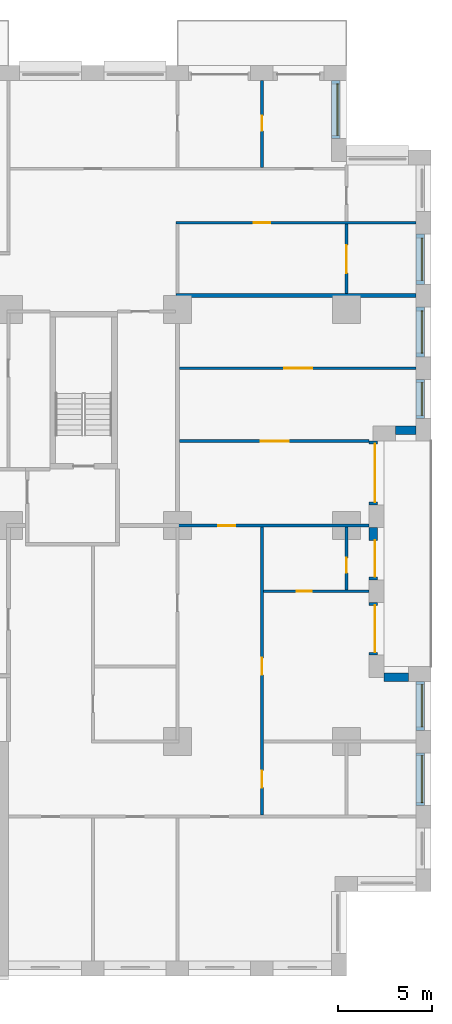
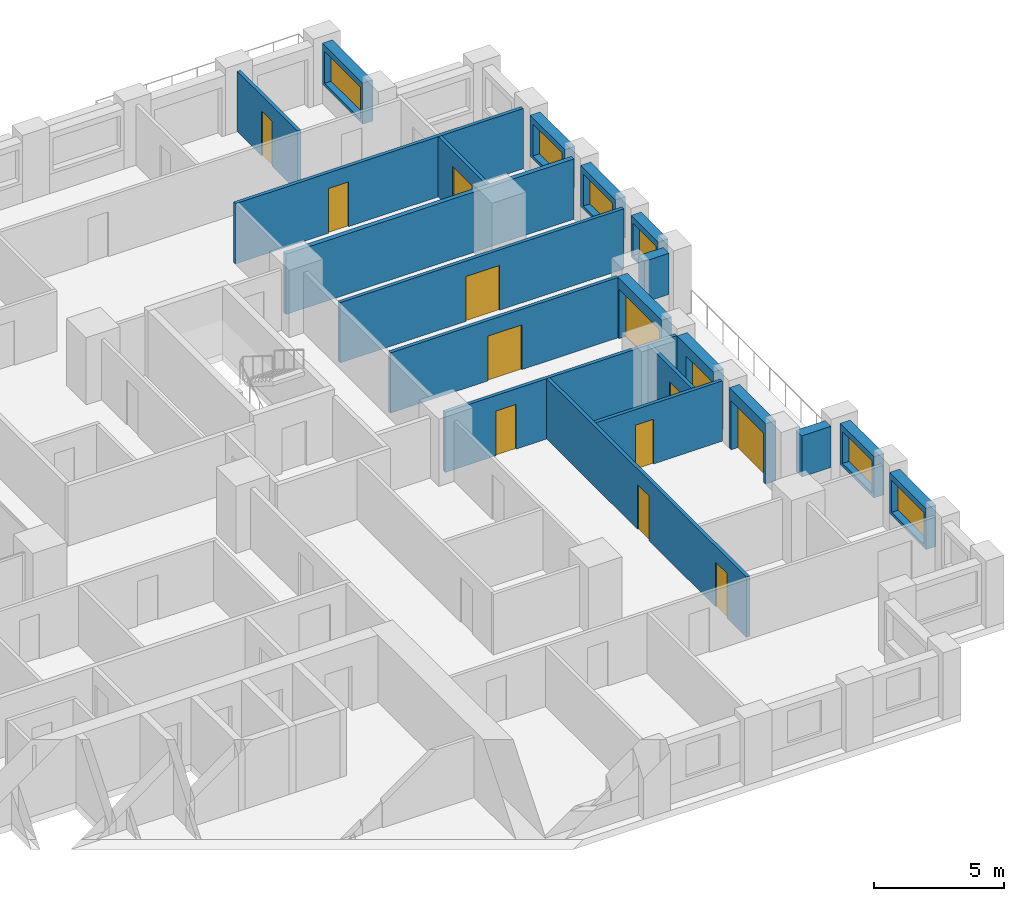
# One storey, part 17 of 20: 21 walls, 13 doors, 6 windows, 19 openings.
"""IFC4 building model written with IfcOpenShell, lengths in metres."""

from ifc_helpers import new_model, si_unit, direction, frame, frame_2d, origin, place, context, subcontext, project, spatial, rectangle, extrude, material, layer, layer_set, type_object, element, fill, save


model = new_model("IFC4")

# Units and contexts
model_context = context("Model", 3, precision=1e-05, world=origin(), true_north=direction((0.0, 1.0)))
body_context = subcontext(model_context, "Body", "Model", "MODEL_VIEW")
ifc_project = project(units=[si_unit("LENGTHUNIT", "METRE"), si_unit("AREAUNIT", "SQUARE_METRE"), si_unit("VOLUMEUNIT", "CUBIC_METRE"), si_unit("PLANEANGLEUNIT", "RADIAN"), si_unit("MASSUNIT", "GRAM", prefix="KILO")], contexts=[model_context])

# Site, building, storey
site_placement = place(None, origin())
site = spatial("IfcSite", under=ifc_project, at=site_placement, CompositionType="ELEMENT")
building_placement = place(site_placement, origin())
building = spatial("IfcBuilding", under=site, at=building_placement, Name="Brigalow Station Residences", CompositionType="ELEMENT")
storey_placement = place(building_placement, frame((0.0, 0.0, 44.699951171875)))
storey = spatial("IfcBuildingStorey", under=building, at=storey_placement, Name="L12", CompositionType="ELEMENT", Elevation=44.699951171875)

# Wall, opening, window
ifc_material_1 = material(Name="Clay brick masonry", Category="masonry")
ifc_layer_1 = layer(ifc_material_1, 0.449951171875)
ifc_layer_set_1 = layer_set([ifc_layer_1], Name="BRICK INFILL WALL 450")
wall_type_1 = type_object("IfcWallType", Name="BRICK INFILL WALL 450", PredefinedType="SOLIDWALL", material=ifc_layer_set_1)
wall_1_placement = place(storey_placement, frame((75.925048828125, 9.10009765625, 0.900146484375), z_axis=(0.0, 0.0, 1.0), x_axis=(0.0, 1.0, 0.0)))
wall_1 = element("IfcWall", 1, at=wall_1_placement, inside=storey, type_object=wall_type_1, Name="L12/ewall/W-L12-12", PredefinedType="SOLIDWALL", context=body_context, shape_type="SweptSolid", body=[
    extrude(rectangle(XDim=2.7998046875, YDim=0.449951171875, at=frame_2d((1.39990234375, 0.0))), origin(), (0.0, 0.0, 1.0), 1.929931640625),
])
opening_1_placement = place(wall_1_placement, frame((0.14990234375, 0.0, 0.14990234375)))
opening_1 = element("IfcOpeningElement", 2, at=opening_1_placement, cuts=wall_1, Name="Opening WT-5", PredefinedType="OPENING", context=body_context, shape_type="SweptSolid", body=[
    extrude(rectangle(XDim=2.5, YDim=1.5, at=frame_2d((1.25, 0.75))), frame((0.0, 0.23486328125, 0.0), z_axis=(0.0, -1.0, 0.0), x_axis=(1.0, 0.0, 0.0)), (0.0, 0.0, 1.0), 0.469970703125),
])
ifc_material_2 = material(Name="Anodised aluminium frame with double glazing", Category="aluminium")
window_type_1 = type_object("IfcWindowType", Name="WINDOW 2500x1500", PartitioningType="SINGLE_PANEL", PredefinedType="WINDOW", material=ifc_material_2)
window_1_placement = place(opening_1_placement, origin())
window_1 = element("IfcWindow", 3, at=window_1_placement, inside=storey, type_object=window_type_1, Name="L12/window/W-L12-12", OverallHeight=1.5, OverallWidth=2.5, PartitioningType="SINGLE_PANEL", PredefinedType="WINDOW", context=body_context, shape_type="SweptSolid", body=[
    extrude(rectangle(XDim=2.5, YDim=1.5, at=frame_2d((1.25, 0.75))), frame((0.0, -0.06494140625, 0.0), z_axis=(0.0, -1.0, 0.0), x_axis=(1.0, 0.0, 0.0)), (0.0, 0.0, 1.0), 0.06005859375),
])
fill(opening_1, window_1)

wall_2_placement = place(storey_placement, frame((75.925048828125, 13.10009765625, 0.900146484375), z_axis=(0.0, 0.0, 1.0), x_axis=(0.0, 1.0, 0.0)))
wall_2 = element("IfcWall", 4, at=wall_2_placement, inside=storey, type_object=wall_type_1, Name="L12/ewall/W-L12-13", PredefinedType="SOLIDWALL", context=body_context, shape_type="SweptSolid", body=[
    extrude(rectangle(XDim=2.599853515625, YDim=0.449951171875, at=frame_2d((1.2998046875, 0.0))), origin(), (0.0, 0.0, 1.0), 1.929931640625),
])
opening_2_placement = place(wall_2_placement, frame((0.175048828125, 0.0, 0.14990234375)))
opening_2 = element("IfcOpeningElement", 5, at=opening_2_placement, cuts=wall_2, Name="Opening WT-6", PredefinedType="OPENING", context=body_context, shape_type="SweptSolid", body=[
    extrude(rectangle(XDim=2.25, YDim=1.5, at=frame_2d((1.125, 0.75))), frame((0.0, 0.23486328125, 0.0), z_axis=(0.0, -1.0, 0.0), x_axis=(1.0, 0.0, 0.0)), (0.0, 0.0, 1.0), 0.469970703125),
])
ifc_material_3 = material(Name="Anodised aluminium frame with double glazing", Category="aluminium")
window_type_2 = type_object("IfcWindowType", Name="WINDOW 2250x1500", PartitioningType="SINGLE_PANEL", PredefinedType="WINDOW", material=ifc_material_3)
window_2_placement = place(opening_2_placement, origin())
window_2 = element("IfcWindow", 6, at=window_2_placement, inside=storey, type_object=window_type_2, Name="L12/window/W-L12-13", OverallHeight=1.5, OverallWidth=2.25, PartitioningType="SINGLE_PANEL", PredefinedType="WINDOW", context=body_context, shape_type="SweptSolid", body=[
    extrude(rectangle(XDim=2.25, YDim=1.5, at=frame_2d((1.125, 0.75))), frame((0.0, -0.06494140625, 0.0), z_axis=(0.0, -1.0, 0.0), x_axis=(1.0, 0.0, 0.0)), (0.0, 0.0, 1.0), 0.06005859375),
])
fill(opening_2, window_2)

# Wall
wall_3_placement = place(storey_placement, frame((75.300048828125, 15.925048828125, 0.900146484375), z_axis=(0.0, 0.0, 1.0), x_axis=(-1.0, 0.0, 0.0)))
element("IfcWall", 7, at=wall_3_placement, inside=storey, type_object=wall_type_1, Name="L12/ewall/W-L12-14", PredefinedType="SOLIDWALL", context=body_context, shape_type="SweptSolid", body=[
    extrude(rectangle(XDim=1.300048828125, YDim=0.449951171875, at=frame_2d((0.64990234375, 0.0))), origin(), (0.0, 0.0, 1.0), 1.929931640625),
])

# Wall, opening, door
wall_4_placement = place(storey_placement, frame((73.425048828125, 17.10009765625, 0.0), z_axis=(0.0, 0.0, 1.0), x_axis=(0.0, 1.0, 0.0)))
wall_4 = element("IfcWall", 8, at=wall_4_placement, inside=storey, type_object=wall_type_1, Name="L12/ewall/W-L12-15", PredefinedType="SOLIDWALL", context=body_context, shape_type="SweptSolid", body=[
    extrude(rectangle(XDim=2.7998046875, YDim=0.449951171875, at=frame_2d((1.39990234375, 0.0))), origin(), (0.0, 0.0, 1.0), 2.830078125),
])
opening_3_placement = place(wall_4_placement, frame((0.14990234375, 0.0, 0.0)))
opening_3 = element("IfcOpeningElement", 9, at=opening_3_placement, cuts=wall_4, Name="Opening D-B2500", PredefinedType="OPENING", context=body_context, shape_type="SweptSolid", body=[
    extrude(rectangle(XDim=2.5, YDim=2.300048828125, at=frame_2d((1.25, 1.14990234375))), frame((0.0, 0.23486328125, 0.0), z_axis=(0.0, -1.0, 0.0), x_axis=(1.0, 0.0, 0.0)), (0.0, 0.0, 1.0), 0.469970703125),
])
ifc_material_4 = material(Name="Anodised aluminium frame with double glazing", Category="aluminium")
door_type_1 = type_object("IfcDoorType", Name="BALCONY SLIDING DOOR 2500x2300", OperationType="SLIDING_TO_LEFT", PredefinedType="DOOR", material=ifc_material_4)
door_1_placement = place(opening_3_placement, origin())
door_1 = element("IfcDoor", 10, at=door_1_placement, inside=storey, type_object=door_type_1, Name="L12/balcony-door/W-L12-15", OperationType="SLIDING_TO_LEFT", OverallHeight=2.300048828125, OverallWidth=2.5, PredefinedType="DOOR", context=body_context, shape_type="SweptSolid", body=[
    extrude(rectangle(XDim=2.5, YDim=2.300048828125, at=frame_2d((1.25, 1.14990234375))), frame((0.0, -0.06982421875, 0.0), z_axis=(0.0, -1.0, 0.0), x_axis=(1.0, 0.0, 0.0)), (0.0, 0.0, 1.0), 0.050048828125),
])
fill(opening_3, door_1)

wall_5_placement = place(storey_placement, frame((73.425048828125, 21.10009765625, 0.0), z_axis=(0.0, 0.0, 1.0), x_axis=(0.0, 1.0, 0.0)))
wall_5 = element("IfcWall", 11, at=wall_5_placement, inside=storey, type_object=wall_type_1, Name="L12/ewall/W-L12-16", PredefinedType="SOLIDWALL", context=body_context, shape_type="SweptSolid", body=[
    extrude(rectangle(XDim=2.7998046875, YDim=0.449951171875, at=frame_2d((1.39990234375, 0.0))), origin(), (0.0, 0.0, 1.0), 2.830078125),
])
opening_4_placement = place(wall_5_placement, frame((0.1650390625, 0.0, 0.0)))
opening_4 = element("IfcOpeningElement", 12, at=opening_4_placement, cuts=wall_5, Name="Opening D-B1950", PredefinedType="OPENING", context=body_context, shape_type="SweptSolid", body=[
    extrude(rectangle(XDim=1.949951171875, YDim=2.300048828125, at=frame_2d((0.97509765625, 1.14990234375))), frame((0.0, 0.23486328125, 0.0), z_axis=(0.0, -1.0, 0.0), x_axis=(1.0, 0.0, 0.0)), (0.0, 0.0, 1.0), 0.469970703125),
])
ifc_material_5 = material(Name="Anodised aluminium frame with double glazing", Category="aluminium")
door_type_2 = type_object("IfcDoorType", Name="BALCONY SLIDING DOOR 1950x2300", OperationType="SLIDING_TO_LEFT", PredefinedType="DOOR", material=ifc_material_5)
door_2_placement = place(opening_4_placement, origin())
door_2 = element("IfcDoor", 13, at=door_2_placement, inside=storey, type_object=door_type_2, Name="L12/balcony-door/W-L12-16", OperationType="SLIDING_TO_LEFT", OverallHeight=2.300048828125, OverallWidth=1.949951171875, PredefinedType="DOOR", context=body_context, shape_type="SweptSolid", body=[
    extrude(rectangle(XDim=1.949951171875, YDim=2.300048828125, at=frame_2d((0.97509765625, 1.14990234375))), frame((0.0, -0.06982421875, 0.0), z_axis=(0.0, -1.0, 0.0), x_axis=(1.0, 0.0, 0.0)), (0.0, 0.0, 1.0), 0.050048828125),
])
fill(opening_4, door_2)

wall_6_placement = place(storey_placement, frame((73.425048828125, 25.10009765625, 0.0), z_axis=(0.0, 0.0, 1.0), x_axis=(0.0, 1.0, 0.0)))
wall_6 = element("IfcWall", 14, at=wall_6_placement, inside=storey, type_object=wall_type_1, Name="L12/ewall/W-L12-17", PredefinedType="SOLIDWALL", context=body_context, shape_type="SweptSolid", body=[
    extrude(rectangle(XDim=3.39990234375, YDim=0.449951171875, at=frame_2d((1.699951171875, 0.0))), origin(), (0.0, 0.0, 1.0), 2.830078125),
])
opening_5_placement = place(wall_6_placement, frame((0.14990234375, 0.0, 0.0)))
opening_5 = element("IfcOpeningElement", 15, at=opening_5_placement, cuts=wall_6, Name="Opening D-B3100", PredefinedType="OPENING", context=body_context, shape_type="SweptSolid", body=[
    extrude(rectangle(XDim=3.10009765625, YDim=2.300048828125, at=frame_2d((1.550048828125, 1.14990234375))), frame((0.0, 0.23486328125, 0.0), z_axis=(0.0, -1.0, 0.0), x_axis=(1.0, 0.0, 0.0)), (0.0, 0.0, 1.0), 0.469970703125),
])
ifc_material_6 = material(Name="Anodised aluminium frame with double glazing", Category="aluminium")
door_type_3 = type_object("IfcDoorType", Name="BALCONY SLIDING DOOR 3100x2300", OperationType="SLIDING_TO_LEFT", PredefinedType="DOOR", material=ifc_material_6)
door_3_placement = place(opening_5_placement, origin())
door_3 = element("IfcDoor", 16, at=door_3_placement, inside=storey, type_object=door_type_3, Name="L12/balcony-door/W-L12-17", OperationType="SLIDING_TO_LEFT", OverallHeight=2.300048828125, OverallWidth=3.10009765625, PredefinedType="DOOR", context=body_context, shape_type="SweptSolid", body=[
    extrude(rectangle(XDim=3.10009765625, YDim=2.300048828125, at=frame_2d((1.550048828125, 1.14990234375))), frame((0.0, -0.06982421875, 0.0), z_axis=(0.0, -1.0, 0.0), x_axis=(1.0, 0.0, 0.0)), (0.0, 0.0, 1.0), 0.050048828125),
])
fill(opening_5, door_3)

# Wall
wall_7_placement = place(storey_placement, frame((74.60009765625, 29.074951171875, 0.900146484375), z_axis=(0.0, 0.0, 1.0), x_axis=(1.0, 0.0, 0.0)))
element("IfcWall", 17, at=wall_7_placement, inside=storey, type_object=wall_type_1, Name="L12/ewall/W-L12-18", PredefinedType="SOLIDWALL", context=body_context, shape_type="SweptSolid", body=[
    extrude(rectangle(XDim=1.099853515625, YDim=0.449951171875, at=frame_2d((0.5498046875, 0.0))), origin(), (0.0, 0.0, 1.0), 1.929931640625),
])

# Wall, opening, window
wall_8_placement = place(storey_placement, frame((75.925048828125, 29.699951171875, 0.900146484375), z_axis=(0.0, 0.0, 1.0), x_axis=(0.0, 1.0, 0.0)))
wall_8 = element("IfcWall", 18, at=wall_8_placement, inside=storey, type_object=wall_type_1, Name="L12/ewall/W-L12-19", PredefinedType="SOLIDWALL", context=body_context, shape_type="SweptSolid", body=[
    extrude(rectangle(XDim=2.074951171875, YDim=0.449951171875, at=frame_2d((1.03759765625, 0.0))), origin(), (0.0, 0.0, 1.0), 1.929931640625),
])
opening_6_placement = place(wall_8_placement, frame((0.16259765625, 0.0, 0.14990234375)))
opening_6 = element("IfcOpeningElement", 19, at=opening_6_placement, cuts=wall_8, Name="Opening WT-4", PredefinedType="OPENING", context=body_context, shape_type="SweptSolid", body=[
    extrude(rectangle(XDim=1.75, YDim=1.5, at=frame_2d((0.875, 0.75))), frame((0.0, 0.23486328125, 0.0), z_axis=(0.0, -1.0, 0.0), x_axis=(1.0, 0.0, 0.0)), (0.0, 0.0, 1.0), 0.469970703125),
])
ifc_material_7 = material(Name="Anodised aluminium frame with double glazing", Category="aluminium")
window_type_3 = type_object("IfcWindowType", Name="WINDOW 1750x1500", PartitioningType="SINGLE_PANEL", PredefinedType="WINDOW", material=ifc_material_7)
window_3_placement = place(opening_6_placement, origin())
window_3 = element("IfcWindow", 20, at=window_3_placement, inside=storey, type_object=window_type_3, Name="L12/window/W-L12-19", OverallHeight=1.5, OverallWidth=1.75, PartitioningType="SINGLE_PANEL", PredefinedType="WINDOW", context=body_context, shape_type="SweptSolid", body=[
    extrude(rectangle(XDim=1.75, YDim=1.5, at=frame_2d((0.875, 0.75))), frame((0.0, -0.06494140625, 0.0), z_axis=(0.0, -1.0, 0.0), x_axis=(1.0, 0.0, 0.0)), (0.0, 0.0, 1.0), 0.06005859375),
])
fill(opening_6, window_3)

wall_9_placement = place(storey_placement, frame((75.925048828125, 32.97509765625, 0.900146484375), z_axis=(0.0, 0.0, 1.0), x_axis=(0.0, 1.0, 0.0)))
wall_9 = element("IfcWall", 21, at=wall_9_placement, inside=storey, type_object=wall_type_1, Name="L12/ewall/W-L12-20", PredefinedType="SOLIDWALL", context=body_context, shape_type="SweptSolid", body=[
    extrude(rectangle(XDim=2.6748046875, YDim=0.449951171875, at=frame_2d((1.33740234375, 0.0))), origin(), (0.0, 0.0, 1.0), 1.929931640625),
])
opening_7_placement = place(wall_9_placement, frame((0.21240234375, 0.0, 0.14990234375)))
opening_7 = element("IfcOpeningElement", 22, at=opening_7_placement, cuts=wall_9, Name="Opening WT-6", PredefinedType="OPENING", context=body_context, shape_type="SweptSolid", body=[
    extrude(rectangle(XDim=2.25, YDim=1.5, at=frame_2d((1.125, 0.75))), frame((0.0, 0.23486328125, 0.0), z_axis=(0.0, -1.0, 0.0), x_axis=(1.0, 0.0, 0.0)), (0.0, 0.0, 1.0), 0.469970703125),
])
window_4_placement = place(opening_7_placement, origin())
window_4 = element("IfcWindow", 23, at=window_4_placement, inside=storey, type_object=window_type_2, Name="L12/window/W-L12-20", OverallHeight=1.5, OverallWidth=2.25, PartitioningType="SINGLE_PANEL", PredefinedType="WINDOW", context=body_context, shape_type="SweptSolid", body=[
    extrude(rectangle(XDim=2.25, YDim=1.5, at=frame_2d((1.125, 0.75))), frame((0.0, -0.06494140625, 0.0), z_axis=(0.0, -1.0, 0.0), x_axis=(1.0, 0.0, 0.0)), (0.0, 0.0, 1.0), 0.06005859375),
])
fill(opening_7, window_4)

wall_10_placement = place(storey_placement, frame((75.925048828125, 36.85009765625, 0.900146484375), z_axis=(0.0, 0.0, 1.0), x_axis=(0.0, 1.0, 0.0)))
wall_10 = element("IfcWall", 24, at=wall_10_placement, inside=storey, type_object=wall_type_1, Name="L12/ewall/W-L12-21", PredefinedType="SOLIDWALL", context=body_context, shape_type="SweptSolid", body=[
    extrude(rectangle(XDim=2.6748046875, YDim=0.449951171875, at=frame_2d((1.33740234375, 0.0))), origin(), (0.0, 0.0, 1.0), 1.929931640625),
])
opening_8_placement = place(wall_10_placement, frame((0.21240234375, 0.0, 0.14990234375)))
opening_8 = element("IfcOpeningElement", 25, at=opening_8_placement, cuts=wall_10, Name="Opening WT-6", PredefinedType="OPENING", context=body_context, shape_type="SweptSolid", body=[
    extrude(rectangle(XDim=2.25, YDim=1.5, at=frame_2d((1.125, 0.75))), frame((0.0, 0.23486328125, 0.0), z_axis=(0.0, -1.0, 0.0), x_axis=(1.0, 0.0, 0.0)), (0.0, 0.0, 1.0), 0.469970703125),
])
window_5_placement = place(opening_8_placement, origin())
window_5 = element("IfcWindow", 26, at=window_5_placement, inside=storey, type_object=window_type_2, Name="L12/window/W-L12-21", OverallHeight=1.5, OverallWidth=2.25, PartitioningType="SINGLE_PANEL", PredefinedType="WINDOW", context=body_context, shape_type="SweptSolid", body=[
    extrude(rectangle(XDim=2.25, YDim=1.5, at=frame_2d((1.125, 0.75))), frame((0.0, -0.06494140625, 0.0), z_axis=(0.0, -1.0, 0.0), x_axis=(1.0, 0.0, 0.0)), (0.0, 0.0, 1.0), 0.06005859375),
])
fill(opening_8, window_5)

wall_11_placement = place(storey_placement, frame((71.425048828125, 44.60009765625, 0.900146484375), z_axis=(0.0, 0.0, 1.0), x_axis=(0.0, 1.0, 0.0)))
wall_11 = element("IfcWall", 27, at=wall_11_placement, inside=storey, type_object=wall_type_1, Name="L12/ewall/W-L12-24", PredefinedType="SOLIDWALL", context=body_context, shape_type="SweptSolid", body=[
    extrude(rectangle(XDim=3.099853515625, YDim=0.449951171875, at=frame_2d((1.5498046875, 0.0))), origin(), (0.0, 0.0, 1.0), 1.929931640625),
])
opening_9_placement = place(wall_11_placement, frame((0.175048828125, 0.0, 0.14990234375)))
opening_9 = element("IfcOpeningElement", 28, at=opening_9_placement, cuts=wall_11, Name="Opening WT-3", PredefinedType="OPENING", context=body_context, shape_type="SweptSolid", body=[
    extrude(rectangle(XDim=2.75, YDim=1.5, at=frame_2d((1.375, 0.75))), frame((0.0, 0.23486328125, 0.0), z_axis=(0.0, -1.0, 0.0), x_axis=(1.0, 0.0, 0.0)), (0.0, 0.0, 1.0), 0.469970703125),
])
ifc_material_8 = material(Name="Anodised aluminium frame with double glazing", Category="aluminium")
window_type_4 = type_object("IfcWindowType", Name="WINDOW 2750x1500", PartitioningType="SINGLE_PANEL", PredefinedType="WINDOW", material=ifc_material_8)
window_6_placement = place(opening_9_placement, origin())
window_6 = element("IfcWindow", 29, at=window_6_placement, inside=storey, type_object=window_type_4, Name="L12/window/W-L12-24", OverallHeight=1.5, OverallWidth=2.75, PartitioningType="SINGLE_PANEL", PredefinedType="WINDOW", context=body_context, shape_type="SweptSolid", body=[
    extrude(rectangle(XDim=2.75, YDim=1.5, at=frame_2d((1.375, 0.75))), frame((0.0, -0.06494140625, 0.0), z_axis=(0.0, -1.0, 0.0), x_axis=(1.0, 0.0, 0.0)), (0.0, 0.0, 1.0), 0.06005859375),
])
fill(opening_9, window_6)

# Wall, opening, door
ifc_material_9 = material(Name="Plasterboard on steel stud partition", Category="steel")
ifc_layer_2 = layer(ifc_material_9, 0.14990234375)
ifc_layer_set_2 = layer_set([ifc_layer_2], Name="FLAT PARTITION 150")
wall_type_2 = type_object("IfcWallType", Name="FLAT PARTITION 150", PredefinedType="PARTITIONING", material=ifc_layer_set_2)
wall_12_placement = place(storey_placement, frame((62.925048828125, 24.0, 0.0), z_axis=(0.0, 0.0, 1.0), x_axis=(1.0, 0.0, 0.0)))
wall_12 = element("IfcWall", 30, at=wall_12_placement, inside=storey, type_object=wall_type_2, Name="PW-1C03", PredefinedType="PARTITIONING", context=body_context, shape_type="SweptSolid", body=[
    extrude(rectangle(XDim=10.27490234375, YDim=0.14990234375, at=frame_2d((5.137451171875, 0.0))), origin(), (0.0, 0.0, 1.0), 2.830078125),
])
opening_10_placement = place(wall_12_placement, frame((2.25, 0.0, 0.0)))
opening_10 = element("IfcOpeningElement", 31, at=opening_10_placement, cuts=wall_12, Name="Opening D-1C53", PredefinedType="OPENING", context=body_context, shape_type="SweptSolid", body=[
    extrude(rectangle(XDim=0.89990234375, YDim=2.10009765625, at=frame_2d((0.449951171875, 1.050048828125))), frame((0.0, 0.0849609375, 0.0), z_axis=(0.0, -1.0, 0.0), x_axis=(1.0, 0.0, 0.0)), (0.0, 0.0, 1.0), 0.169921875),
])
ifc_material_10 = material(Name="Solid-core timber door leaf", Category="wood")
door_type_4 = type_object("IfcDoorType", Name="INTERNAL DOOR 900 x 2100", OperationType="SINGLE_SWING_LEFT", PredefinedType="DOOR", material=ifc_material_10)
door_4_placement = place(opening_10_placement, origin())
door_4 = element("IfcDoor", 32, at=door_4_placement, inside=storey, type_object=door_type_4, Name="D-1C53", OperationType="SINGLE_SWING_LEFT", OverallHeight=2.10009765625, OverallWidth=0.89990234375, PredefinedType="DOOR", context=body_context, shape_type="SweptSolid", body=[
    extrude(rectangle(XDim=0.89990234375, YDim=2.10009765625, at=frame_2d((0.449951171875, 1.050048828125))), frame((0.0, 0.02490234375, 0.0), z_axis=(0.0, -1.0, 0.0), x_axis=(1.0, 0.0, 0.0)), (0.0, 0.0, 1.0), 0.050048828125),
])
fill(opening_10, door_4)

wall_13_placement = place(storey_placement, frame((67.574951171875, 20.5, 0.0), z_axis=(0.0, 0.0, 1.0), x_axis=(1.0, 0.0, 0.0)))
wall_13 = element("IfcWall", 33, at=wall_13_placement, inside=storey, type_object=wall_type_2, Name="PW-1C18", PredefinedType="PARTITIONING", context=body_context, shape_type="SweptSolid", body=[
    extrude(rectangle(XDim=5.625, YDim=0.14990234375, at=frame_2d((2.8125, 0.0))), origin(), (0.0, 0.0, 1.0), 2.830078125),
])
opening_11_placement = place(wall_13_placement, frame((1.77490234375, 0.0, 0.0)))
opening_11 = element("IfcOpeningElement", 34, at=opening_11_placement, cuts=wall_13, Name="Opening D-1C54", PredefinedType="OPENING", context=body_context, shape_type="SweptSolid", body=[
    extrude(rectangle(XDim=0.800048828125, YDim=2.10009765625, at=frame_2d((0.39990234375, 1.050048828125))), frame((0.0, 0.0849609375, 0.0), z_axis=(0.0, -1.0, 0.0), x_axis=(1.0, 0.0, 0.0)), (0.0, 0.0, 1.0), 0.169921875),
])
ifc_material_11 = material(Name="Solid-core timber door leaf", Category="wood")
door_type_5 = type_object("IfcDoorType", Name="INTERNAL DOOR 800 x 2100", OperationType="SINGLE_SWING_LEFT", PredefinedType="DOOR", material=ifc_material_11)
door_5_placement = place(opening_11_placement, origin())
door_5 = element("IfcDoor", 35, at=door_5_placement, inside=storey, type_object=door_type_5, Name="D-1C54", OperationType="SINGLE_SWING_LEFT", OverallHeight=2.10009765625, OverallWidth=0.800048828125, PredefinedType="DOOR", context=body_context, shape_type="SweptSolid", body=[
    extrude(rectangle(XDim=0.800048828125, YDim=2.10009765625, at=frame_2d((0.39990234375, 1.050048828125))), frame((0.0, 0.02490234375, 0.0), z_axis=(0.0, -1.0, 0.0), x_axis=(1.0, 0.0, 0.0)), (0.0, 0.0, 1.0), 0.050048828125),
])
fill(opening_11, door_5)

wall_14_placement = place(storey_placement, frame((63.10009765625, 32.375, 0.0), z_axis=(0.0, 0.0, 1.0), x_axis=(1.0, 0.0, 0.0)))
wall_14 = element("IfcWall", 36, at=wall_14_placement, inside=storey, type_object=wall_type_2, Name="PW-1C20", PredefinedType="PARTITIONING", context=body_context, shape_type="SweptSolid", body=[
    extrude(rectangle(XDim=12.599853515625, YDim=0.14990234375, at=frame_2d((6.2998046875, 0.0))), origin(), (0.0, 0.0, 1.0), 2.830078125),
])
opening_12_placement = place(wall_14_placement, frame((5.574951171875, 0.0, 0.0)))
opening_12 = element("IfcOpeningElement", 37, at=opening_12_placement, cuts=wall_14, Name="Opening D-1C56", PredefinedType="OPENING", context=body_context, shape_type="SweptSolid", body=[
    extrude(rectangle(XDim=1.5, YDim=2.10009765625, at=frame_2d((0.75, 1.050048828125))), frame((0.0, 0.0849609375, 0.0), z_axis=(0.0, -1.0, 0.0), x_axis=(1.0, 0.0, 0.0)), (0.0, 0.0, 1.0), 0.169921875),
])
ifc_material_12 = material(Name="Solid-core timber door leaf", Category="wood")
door_type_6 = type_object("IfcDoorType", Name="INTERNAL DOUBLE DOOR 1500 x 2100", OperationType="DOUBLE_DOOR_SINGLE_SWING", PredefinedType="DOOR", material=ifc_material_12)
door_6_placement = place(opening_12_placement, frame((1.5, 0.0, 0.0), z_axis=(0.0, 0.0, 1.0), x_axis=(-1.0, 0.0, 0.0)))
door_6 = element("IfcDoor", 38, at=door_6_placement, inside=storey, type_object=door_type_6, Name="D-1C56", OperationType="DOUBLE_DOOR_SINGLE_SWING", OverallHeight=2.10009765625, OverallWidth=1.5, PredefinedType="DOOR", context=body_context, shape_type="SweptSolid", body=[
    extrude(rectangle(XDim=1.5, YDim=2.10009765625, at=frame_2d((0.75, 1.050048828125))), frame((0.0, 0.02490234375, 0.0), z_axis=(0.0, -1.0, 0.0), x_axis=(1.0, 0.0, 0.0)), (0.0, 0.0, 1.0), 0.050048828125),
])
fill(opening_12, door_6)

wall_15_placement = place(storey_placement, frame((63.10009765625, 28.5, 0.0), z_axis=(0.0, 0.0, 1.0), x_axis=(1.0, 0.0, 0.0)))
wall_15 = element("IfcWall", 39, at=wall_15_placement, inside=storey, type_object=wall_type_2, Name="PW-1C24", PredefinedType="PARTITIONING", context=body_context, shape_type="SweptSolid", body=[
    extrude(rectangle(XDim=10.099853515625, YDim=0.14990234375, at=frame_2d((5.0498046875, 0.0))), origin(), (0.0, 0.0, 1.0), 2.830078125),
])
opening_13_placement = place(wall_15_placement, frame((4.324951171875, 0.0, 0.0)))
opening_13 = element("IfcOpeningElement", 40, at=opening_13_placement, cuts=wall_15, Name="Opening D-1C52", PredefinedType="OPENING", context=body_context, shape_type="SweptSolid", body=[
    extrude(rectangle(XDim=1.5, YDim=2.10009765625, at=frame_2d((0.75, 1.050048828125))), frame((0.0, 0.0849609375, 0.0), z_axis=(0.0, -1.0, 0.0), x_axis=(1.0, 0.0, 0.0)), (0.0, 0.0, 1.0), 0.169921875),
])
door_7_placement = place(opening_13_placement, frame((1.5, 0.0, 0.0), z_axis=(0.0, 0.0, 1.0), x_axis=(-1.0, 0.0, 0.0)))
door_7 = element("IfcDoor", 41, at=door_7_placement, inside=storey, type_object=door_type_6, Name="D-1C52", OperationType="DOUBLE_DOOR_SINGLE_SWING", OverallHeight=2.10009765625, OverallWidth=1.5, PredefinedType="DOOR", context=body_context, shape_type="SweptSolid", body=[
    extrude(rectangle(XDim=1.5, YDim=2.10009765625, at=frame_2d((0.75, 1.050048828125))), frame((0.0, 0.02490234375, 0.0), z_axis=(0.0, -1.0, 0.0), x_axis=(1.0, 0.0, 0.0)), (0.0, 0.0, 1.0), 0.050048828125),
])
fill(opening_13, door_7)

wall_16_placement = place(storey_placement, frame((62.925048828125, 40.125, 0.0), z_axis=(0.0, 0.0, 1.0), x_axis=(1.0, 0.0, 0.0)))
wall_16 = element("IfcWall", 42, at=wall_16_placement, inside=storey, type_object=wall_type_2, Name="PW-1C33", PredefinedType="PARTITIONING", context=body_context, shape_type="SweptSolid", body=[
    extrude(rectangle(XDim=12.77490234375, YDim=0.14990234375, at=frame_2d((6.387451171875, 0.0))), origin(), (0.0, 0.0, 1.0), 2.830078125),
])
opening_14_placement = place(wall_16_placement, frame((4.125, 0.0, 0.0)))
opening_14 = element("IfcOpeningElement", 43, at=opening_14_placement, cuts=wall_16, Name="Opening D-1C41", PredefinedType="OPENING", context=body_context, shape_type="SweptSolid", body=[
    extrude(rectangle(XDim=0.89990234375, YDim=2.10009765625, at=frame_2d((0.449951171875, 1.050048828125))), frame((0.0, 0.0849609375, 0.0), z_axis=(0.0, -1.0, 0.0), x_axis=(1.0, 0.0, 0.0)), (0.0, 0.0, 1.0), 0.169921875),
])
door_8_placement = place(opening_14_placement, frame((0.89990234375, 0.0, 0.0), z_axis=(0.0, 0.0, 1.0), x_axis=(-1.0, 0.0, 0.0)))
door_8 = element("IfcDoor", 44, at=door_8_placement, inside=storey, type_object=door_type_4, Name="D-1C41", OperationType="SINGLE_SWING_RIGHT", OverallHeight=2.10009765625, OverallWidth=0.89990234375, PredefinedType="DOOR", context=body_context, shape_type="SweptSolid", body=[
    extrude(rectangle(XDim=0.89990234375, YDim=2.10009765625, at=frame_2d((0.449951171875, 1.050048828125))), frame((0.0, 0.02490234375, 0.0), z_axis=(0.0, -1.0, 0.0), x_axis=(1.0, 0.0, 0.0)), (0.0, 0.0, 1.0), 0.050048828125),
])
fill(opening_14, door_8)

wall_17_placement = place(storey_placement, frame((72.0, 20.574951171875, 0.0), z_axis=(0.0, 0.0, 1.0), x_axis=(0.0, 1.0, 0.0)))
wall_17 = element("IfcWall", 45, at=wall_17_placement, inside=storey, type_object=wall_type_2, Name="PW-1C75", PredefinedType="PARTITIONING", context=body_context, shape_type="SweptSolid", body=[
    extrude(rectangle(XDim=3.35009765625, YDim=0.14990234375, at=frame_2d((1.675048828125, 0.0))), origin(), (0.0, 0.0, 1.0), 2.830078125),
])
opening_15_placement = place(wall_17_placement, frame((0.89990234375, 0.0, 0.0)))
opening_15 = element("IfcOpeningElement", 46, at=opening_15_placement, cuts=wall_17, Name="Opening D-1C55", PredefinedType="OPENING", context=body_context, shape_type="SweptSolid", body=[
    extrude(rectangle(XDim=0.800048828125, YDim=2.10009765625, at=frame_2d((0.39990234375, 1.050048828125))), frame((0.0, 0.0849609375, 0.0), z_axis=(0.0, -1.0, 0.0), x_axis=(1.0, 0.0, 0.0)), (0.0, 0.0, 1.0), 0.169921875),
])
door_9_placement = place(opening_15_placement, frame((0.800048828125, 0.0, 0.0), z_axis=(0.0, 0.0, 1.0), x_axis=(-1.0, 0.0, 0.0)))
door_9 = element("IfcDoor", 47, at=door_9_placement, inside=storey, type_object=door_type_5, Name="D-1C55", OperationType="SINGLE_SWING_RIGHT", OverallHeight=2.10009765625, OverallWidth=0.800048828125, PredefinedType="DOOR", context=body_context, shape_type="SweptSolid", body=[
    extrude(rectangle(XDim=0.800048828125, YDim=2.10009765625, at=frame_2d((0.39990234375, 1.050048828125))), frame((0.0, 0.02490234375, 0.0), z_axis=(0.0, -1.0, 0.0), x_axis=(1.0, 0.0, 0.0)), (0.0, 0.0, 1.0), 0.050048828125),
])
fill(opening_15, door_9)

wall_18_placement = place(storey_placement, frame((72.0, 36.35009765625, 0.0), z_axis=(0.0, 0.0, 1.0), x_axis=(0.0, 1.0, 0.0)))
wall_18 = element("IfcWall", 48, at=wall_18_placement, inside=storey, type_object=wall_type_2, Name="PW-1C76", PredefinedType="PARTITIONING", context=body_context, shape_type="SweptSolid", body=[
    extrude(rectangle(XDim=3.699951171875, YDim=0.14990234375, at=frame_2d((1.85009765625, 0.0))), origin(), (0.0, 0.0, 1.0), 2.830078125),
])
opening_16_placement = place(wall_18_placement, frame((1.087890625, 0.0, 0.0)))
opening_16 = element("IfcOpeningElement", 49, at=opening_16_placement, cuts=wall_18, Name="Opening D-1C48", PredefinedType="OPENING", context=body_context, shape_type="SweptSolid", body=[
    extrude(rectangle(XDim=1.5, YDim=2.10009765625, at=frame_2d((0.75, 1.050048828125))), frame((0.0, 0.0849609375, 0.0), z_axis=(0.0, -1.0, 0.0), x_axis=(1.0, 0.0, 0.0)), (0.0, 0.0, 1.0), 0.169921875),
])
door_10_placement = place(opening_16_placement, origin())
door_10 = element("IfcDoor", 50, at=door_10_placement, inside=storey, type_object=door_type_6, Name="D-1C48", OperationType="DOUBLE_DOOR_SINGLE_SWING", OverallHeight=2.10009765625, OverallWidth=1.5, PredefinedType="DOOR", context=body_context, shape_type="SweptSolid", body=[
    extrude(rectangle(XDim=1.5, YDim=2.10009765625, at=frame_2d((0.75, 1.050048828125))), frame((0.0, 0.02490234375, 0.0), z_axis=(0.0, -1.0, 0.0), x_axis=(1.0, 0.0, 0.0)), (0.0, 0.0, 1.0), 0.050048828125),
])
fill(opening_16, door_10)

# Wall, openings, doors
wall_19_placement = place(storey_placement, frame((67.5, 8.574951171875, 0.0), z_axis=(0.0, 0.0, 1.0), x_axis=(0.0, 1.0, 0.0)))
wall_19 = element("IfcWall", 51, at=wall_19_placement, inside=storey, type_object=wall_type_2, Name="PW-1C79", PredefinedType="PARTITIONING", context=body_context, shape_type="SweptSolid", body=[
    extrude(rectangle(XDim=15.35009765625, YDim=0.14990234375, at=frame_2d((7.675048828125, 0.0))), origin(), (0.0, 0.0, 1.0), 2.830078125),
])
opening_17_placement = place(wall_19_placement, frame((7.47509765625, 0.0, 0.0)))
opening_17 = element("IfcOpeningElement", 52, at=opening_17_placement, cuts=wall_19, Name="Opening D-1C59", PredefinedType="OPENING", context=body_context, shape_type="SweptSolid", body=[
    extrude(rectangle(XDim=0.89990234375, YDim=2.10009765625, at=frame_2d((0.449951171875, 1.050048828125))), frame((0.0, 0.0849609375, 0.0), z_axis=(0.0, -1.0, 0.0), x_axis=(1.0, 0.0, 0.0)), (0.0, 0.0, 1.0), 0.169921875),
])
opening_18_placement = place(wall_19_placement, frame((1.47509765625, 0.0, 0.0)))
opening_18 = element("IfcOpeningElement", 53, at=opening_18_placement, cuts=wall_19, Name="Opening D-1C60", PredefinedType="OPENING", context=body_context, shape_type="SweptSolid", body=[
    extrude(rectangle(XDim=0.89990234375, YDim=2.10009765625, at=frame_2d((0.449951171875, 1.050048828125))), frame((0.0, 0.0849609375, 0.0), z_axis=(0.0, -1.0, 0.0), x_axis=(1.0, 0.0, 0.0)), (0.0, 0.0, 1.0), 0.169921875),
])
door_11_placement = place(opening_17_placement, frame((0.89990234375, 0.0, 0.0), z_axis=(0.0, 0.0, 1.0), x_axis=(-1.0, 0.0, 0.0)))
door_11 = element("IfcDoor", 54, at=door_11_placement, inside=storey, type_object=door_type_4, Name="D-1C59", OperationType="SINGLE_SWING_RIGHT", OverallHeight=2.10009765625, OverallWidth=0.89990234375, PredefinedType="DOOR", context=body_context, shape_type="SweptSolid", body=[
    extrude(rectangle(XDim=0.89990234375, YDim=2.10009765625, at=frame_2d((0.449951171875, 1.050048828125))), frame((0.0, 0.02490234375, 0.0), z_axis=(0.0, -1.0, 0.0), x_axis=(1.0, 0.0, 0.0)), (0.0, 0.0, 1.0), 0.050048828125),
])
fill(opening_17, door_11)
door_12_placement = place(opening_18_placement, frame((0.89990234375, 0.0, 0.0), z_axis=(0.0, 0.0, 1.0), x_axis=(-1.0, 0.0, 0.0)))
door_12 = element("IfcDoor", 55, at=door_12_placement, inside=storey, type_object=door_type_4, Name="D-1C60", OperationType="SINGLE_SWING_LEFT", OverallHeight=2.10009765625, OverallWidth=0.89990234375, PredefinedType="DOOR", context=body_context, shape_type="SweptSolid", body=[
    extrude(rectangle(XDim=0.89990234375, YDim=2.10009765625, at=frame_2d((0.449951171875, 1.050048828125))), frame((0.0, 0.02490234375, 0.0), z_axis=(0.0, -1.0, 0.0), x_axis=(1.0, 0.0, 0.0)), (0.0, 0.0, 1.0), 0.050048828125),
])
fill(opening_18, door_12)

# Wall, opening, door
wall_20_placement = place(storey_placement, frame((67.5, 43.074951171875, 0.0), z_axis=(0.0, 0.0, 1.0), x_axis=(0.0, 1.0, 0.0)))
wall_20 = element("IfcWall", 56, at=wall_20_placement, inside=storey, type_object=wall_type_2, Name="PW-1C80", PredefinedType="PARTITIONING", context=body_context, shape_type="SweptSolid", body=[
    extrude(rectangle(XDim=4.625, YDim=0.14990234375, at=frame_2d((2.3125, 0.0))), origin(), (0.0, 0.0, 1.0), 2.830078125),
])
opening_19_placement = place(wall_20_placement, frame((1.949951171875, 0.0, 0.0)))
opening_19 = element("IfcOpeningElement", 57, at=opening_19_placement, cuts=wall_20, Name="Opening D-1C33", PredefinedType="OPENING", context=body_context, shape_type="SweptSolid", body=[
    extrude(rectangle(XDim=0.800048828125, YDim=2.10009765625, at=frame_2d((0.39990234375, 1.050048828125))), frame((0.0, 0.0849609375, 0.0), z_axis=(0.0, -1.0, 0.0), x_axis=(1.0, 0.0, 0.0)), (0.0, 0.0, 1.0), 0.169921875),
])
door_13_placement = place(opening_19_placement, origin())
door_13 = element("IfcDoor", 58, at=door_13_placement, inside=storey, type_object=door_type_5, Name="D-1C33", OperationType="SINGLE_SWING_RIGHT", OverallHeight=2.10009765625, OverallWidth=0.800048828125, PredefinedType="DOOR", context=body_context, shape_type="SweptSolid", body=[
    extrude(rectangle(XDim=0.800048828125, YDim=2.10009765625, at=frame_2d((0.39990234375, 1.050048828125))), frame((0.0, 0.02490234375, 0.0), z_axis=(0.0, -1.0, 0.0), x_axis=(1.0, 0.0, 0.0)), (0.0, 0.0, 1.0), 0.050048828125),
])
fill(opening_19, door_13)

# Wall
ifc_material_13 = material(Name="Plasterboard on steel stud partition", Category="steel")
ifc_layer_3 = layer(ifc_material_13, 0.199951171875)
ifc_layer_set_3 = layer_set([ifc_layer_3], Name="PARTY AND CORRIDOR WALL 200")
wall_type_3 = type_object("IfcWallType", Name="PARTY AND CORRIDOR WALL 200", PredefinedType="PARTITIONING", material=ifc_layer_set_3)
wall_21_placement = place(storey_placement, frame((62.925048828125, 36.25, 0.0), z_axis=(0.0, 0.0, 1.0), x_axis=(1.0, 0.0, 0.0)))
element("IfcWall", 59, at=wall_21_placement, inside=storey, type_object=wall_type_3, Name="PW-1C26", PredefinedType="PARTITIONING", context=body_context, shape_type="SweptSolid", body=[
    extrude(rectangle(XDim=12.77490234375, YDim=0.199951171875, at=frame_2d((6.387451171875, 0.0))), origin(), (0.0, 0.0, 1.0), 2.830078125),
])

save(model, "model.ifc")
